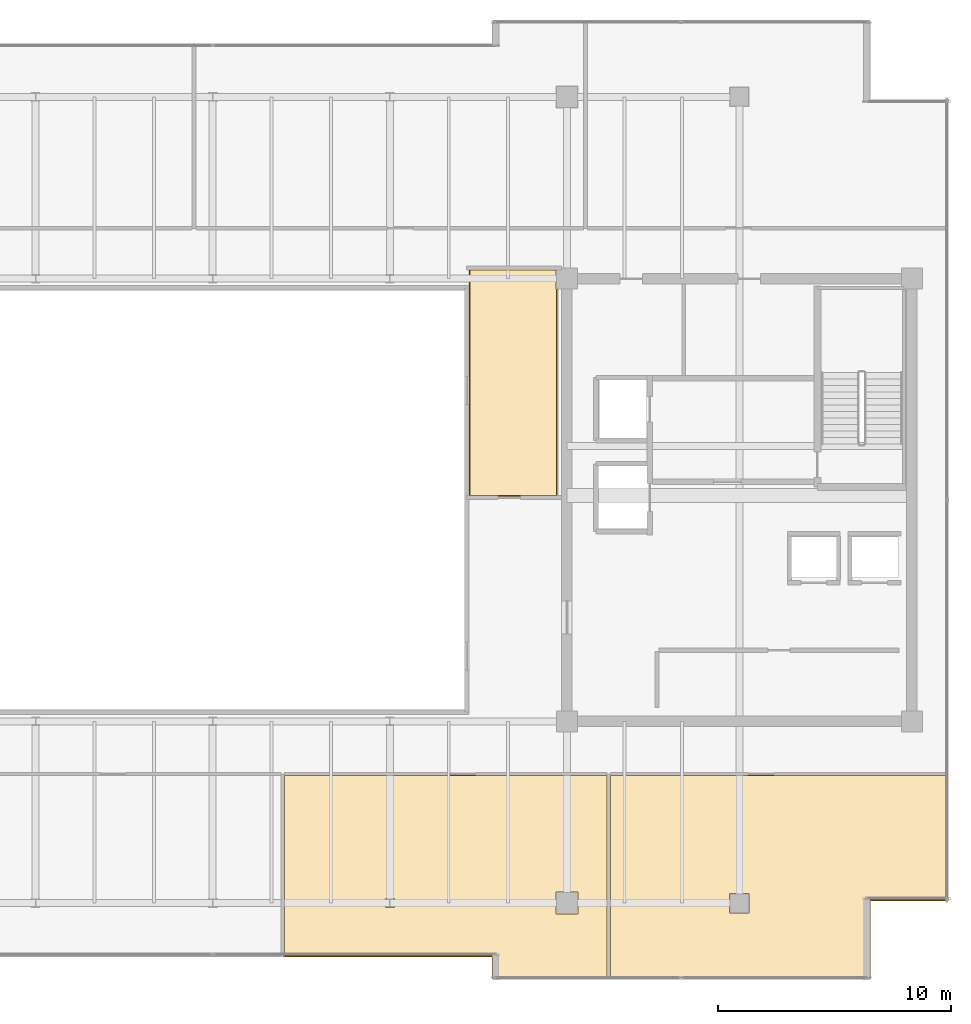
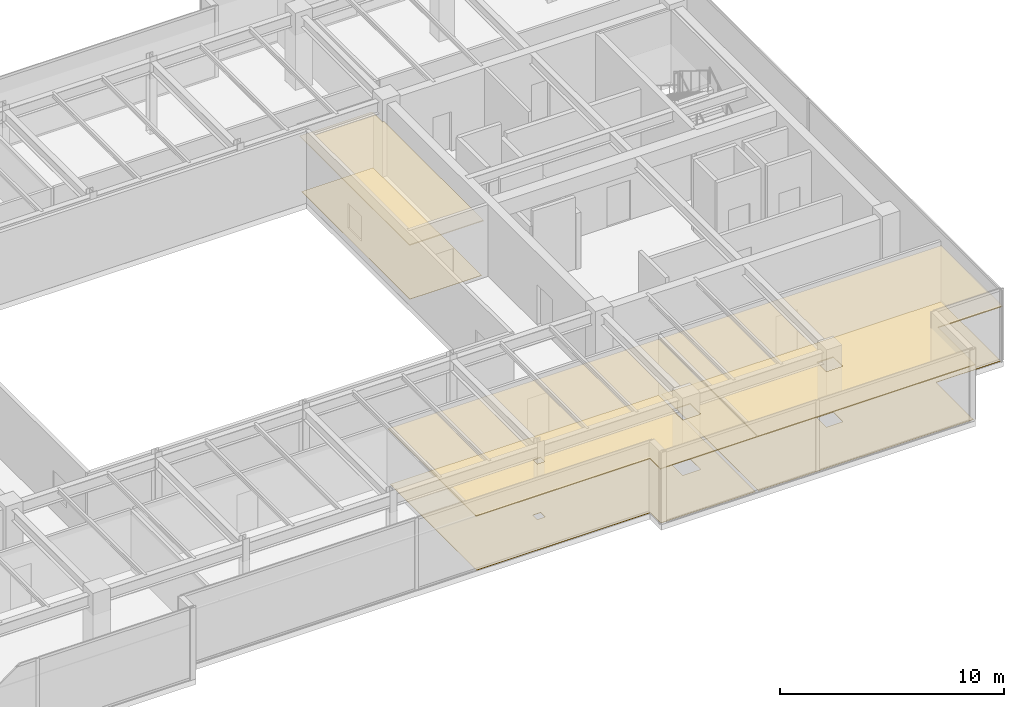
# One storey, part 32 of 34: 6 coverings.
"""IFC4 building model written with IfcOpenShell, lengths in metres."""

from ifc_helpers import new_model, si_unit, direction, frame, origin, place, context, subcontext, project, spatial, polyline, outline, extrude, material, layer, layer_set, type_object, element, save


model = new_model("IFC4")

# Units and contexts
model_context = context("Model", 3, precision=1e-05, world=origin(), true_north=direction((0.0, 1.0)))
body_context = subcontext(model_context, "Body", "Model", "MODEL_VIEW")
ifc_project = project(units=[si_unit("LENGTHUNIT", "METRE"), si_unit("AREAUNIT", "SQUARE_METRE"), si_unit("VOLUMEUNIT", "CUBIC_METRE"), si_unit("PLANEANGLEUNIT", "RADIAN"), si_unit("MASSUNIT", "GRAM", prefix="KILO")], contexts=[model_context])

# Site, building, storey
site_placement = place(None, origin())
site = spatial("IfcSite", under=ifc_project, at=site_placement, CompositionType="ELEMENT")
building_placement = place(site_placement, origin())
building = spatial("IfcBuilding", under=site, at=building_placement, Name="Haelvirn Gate Laboratories", CompositionType="ELEMENT")
storey_placement = place(building_placement, frame((0.0, 0.0, 322.800048828125)))
storey = spatial("IfcBuildingStorey", under=building, at=storey_placement, Name="L77", CompositionType="ELEMENT", Elevation=322.800048828125)

# Coverings
ifc_material_1 = material(Name="Washable cleanroom gasketed aluminium ceiling", Category="aluminium")
ifc_layer_1 = layer(ifc_material_1, 0.050048828125, Name="COV-CEIL-CLN")
ifc_layer_set_1 = layer_set([ifc_layer_1], Name="Washable cleanroom gasketed aluminium ceiling")
covering_type_1 = type_object("IfcCoveringType", Name="COV-CEIL-CLN", PredefinedType="CEILING", material=ifc_layer_set_1)
covering_1_placement = place(storey_placement, frame((0.0, 0.0, 2.989990234375)))
element("IfcCovering", 1, at=covering_1_placement, inside=storey, type_object=covering_type_1, Name="L77 Laboratory Acoustic Ceiling CEIL-SP-L77-EATRIUM-POD", PredefinedType="CEILING", context=body_context, shape_type="SweptSolid", body=[
    extrude(outline(polyline([(52.2099609375, 24.43994140625), (48.389892578125, 24.43994140625), (48.389892578125, 34.239990234375), (52.1298828125, 34.239990234375), (52.1298828125, 33.330078125), (52.2099609375, 33.330078125), (52.2099609375, 24.43994140625)])), origin(), (0.0, 0.0, 1.0), 0.050048828125),
])
covering_2_placement = place(storey_placement, frame((0.0, 0.0, 2.989990234375)))
element("IfcCovering", 2, at=covering_2_placement, inside=storey, type_object=covering_type_1, Name="L77 Laboratory Acoustic Ceiling CEIL-SP-L77-S-04", PredefinedType="CEILING", context=body_context, shape_type="SweptSolid", body=[
    extrude(outline(polyline([(40.419921875, 4.679931640625), (40.419921875, 12.530029296875), (54.3798828125, 12.530029296875), (54.3798828125, 3.75), (49.3798828125, 3.75), (49.3798828125, 4.679931640625), (40.419921875, 4.679931640625)]), holes=[polyline([(52.1298828125, 7.469970703125), (52.1298828125, 6.530029296875), (53.070068359375, 6.530029296875), (53.070068359375, 7.469970703125), (52.1298828125, 7.469970703125)]), polyline([(45.195068359375, 7.195068359375), (44.804931640625, 7.195068359375), (44.804931640625, 6.804931640625), (45.195068359375, 6.804931640625), (45.195068359375, 7.195068359375)])]), origin(), (0.0, 0.0, 1.0), 0.050048828125),
])
covering_3_placement = place(storey_placement, frame((0.0, 0.0, 2.989990234375)))
element("IfcCovering", 3, at=covering_3_placement, inside=storey, type_object=covering_type_1, Name="L77 Laboratory Acoustic Ceiling CEIL-SP-L77-S-05", PredefinedType="CEILING", context=body_context, shape_type="SweptSolid", body=[
    extrude(outline(polyline([(65.6201171875, 3.75), (54.419921875, 3.75), (54.419921875, 12.530029296875), (68.949951171875, 12.530029296875), (68.949951171875, 7.080078125), (65.6201171875, 7.080078125), (65.6201171875, 3.75)]), holes=[polyline([(60.419921875, 7.419921875), (59.580078125, 7.419921875), (59.580078125, 6.580078125), (60.419921875, 6.580078125), (60.419921875, 7.419921875)])]), origin(), (0.0, 0.0, 1.0), 0.050048828125),
])
ifc_material_2 = material(Name="Seamless chemical-resistant epoxy laboratory flooring")
ifc_layer_2 = layer(ifc_material_2, 0.01806640625, Name="COV-FLR-RESIN")
ifc_layer_set_2 = layer_set([ifc_layer_2], Name="Seamless chemical-resistant epoxy laboratory flooring")
covering_type_2 = type_object("IfcCoveringType", Name="COV-FLR-RESIN", PredefinedType="FLOORING", material=ifc_layer_set_2)
covering_4_placement = place(storey_placement, origin())
element("IfcCovering", 4, at=covering_4_placement, inside=storey, type_object=covering_type_2, Name="L77 Seamless Laboratory Flooring FLR-SP-L77-EATRIUM-POD", PredefinedType="FLOORING", context=body_context, shape_type="SweptSolid", body=[
    extrude(outline(polyline([(52.1298828125, 34.179931640625), (52.1298828125, 33.330078125), (52.14990234375, 33.330078125), (52.14990234375, 24.5), (48.449951171875, 24.5), (48.449951171875, 34.179931640625), (52.1298828125, 34.179931640625)])), origin(), (0.0, 0.0, 1.0), 0.01806640625),
])
covering_5_placement = place(storey_placement, origin())
element("IfcCovering", 5, at=covering_5_placement, inside=storey, type_object=covering_type_2, Name="L77 Seamless Laboratory Flooring FLR-SP-L77-S-04", PredefinedType="FLOORING", context=body_context, shape_type="SweptSolid", body=[
    extrude(outline(polyline([(49.43994140625, 3.81005859375), (49.43994140625, 4.699951171875), (49.439697265625, 4.703857421875), (49.439208984375, 4.707763671875), (49.438232421875, 4.711669921875), (49.43701171875, 4.71533203125), (49.435302734375, 4.718994140625), (49.433349609375, 4.72216796875), (49.430908203125, 4.725341796875), (49.42822265625, 4.728271484375), (49.42529296875, 4.73095703125), (49.422119140625, 4.7333984375), (49.4189453125, 4.7353515625), (49.415283203125, 4.737060546875), (49.41162109375, 4.73828125), (49.40771484375, 4.7392578125), (49.40380859375, 4.73974609375), (49.39990234375, 4.739990234375), (40.47998046875, 4.739990234375), (40.47998046875, 12.469970703125), (54.320068359375, 12.469970703125), (54.320068359375, 3.81005859375), (49.43994140625, 3.81005859375)]), holes=[polyline([(52.1298828125, 6.530029296875), (53.070068359375, 6.530029296875), (53.070068359375, 7.469970703125), (52.1298828125, 7.469970703125), (52.1298828125, 6.530029296875)]), polyline([(44.804931640625, 7.195068359375), (44.804931640625, 6.804931640625), (45.195068359375, 6.804931640625), (45.195068359375, 7.195068359375), (44.804931640625, 7.195068359375)])]), origin(), (0.0, 0.0, 1.0), 0.01806640625),
])
covering_6_placement = place(storey_placement, origin())
element("IfcCovering", 6, at=covering_6_placement, inside=storey, type_object=covering_type_2, Name="L77 Seamless Laboratory Flooring FLR-SP-L77-S-05", PredefinedType="FLOORING", context=body_context, shape_type="SweptSolid", body=[
    extrude(outline(polyline([(68.889892578125, 12.469970703125), (68.889892578125, 7.139892578125), (65.60009765625, 7.139892578125), (65.59619140625, 7.139892578125), (65.59228515625, 7.13916015625), (65.58837890625, 7.13818359375), (65.584716796875, 7.136962890625), (65.5810546875, 7.13525390625), (65.577880859375, 7.13330078125), (65.57470703125, 7.130859375), (65.57177734375, 7.12841796875), (65.569091796875, 7.12548828125), (65.566650390625, 7.122314453125), (65.564697265625, 7.118896484375), (65.56298828125, 7.115234375), (65.561767578125, 7.111572265625), (65.560791015625, 7.10791015625), (65.560302734375, 7.10400390625), (65.56005859375, 7.10009765625), (65.56005859375, 3.81005859375), (54.47998046875, 3.81005859375), (54.47998046875, 12.469970703125), (68.889892578125, 12.469970703125)]), holes=[polyline([(59.580078125, 7.419921875), (59.580078125, 6.580078125), (60.419921875, 6.580078125), (60.419921875, 7.419921875), (59.580078125, 7.419921875)])]), origin(), (0.0, 0.0, 1.0), 0.01806640625),
])

save(model, "model.ifc")
